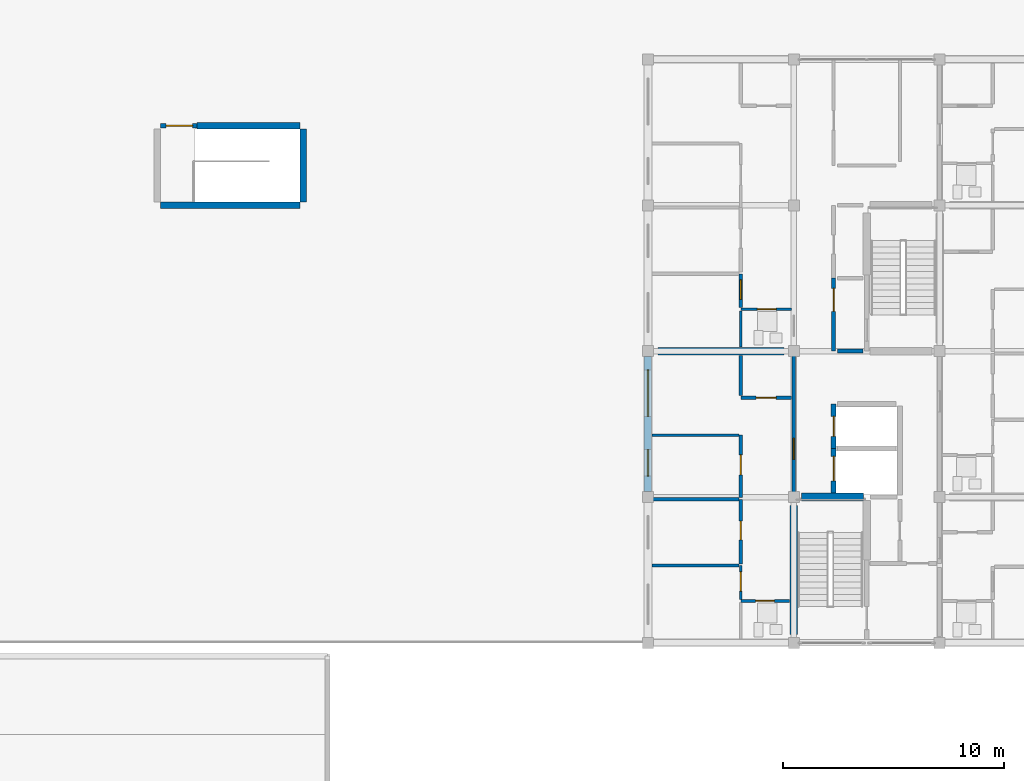
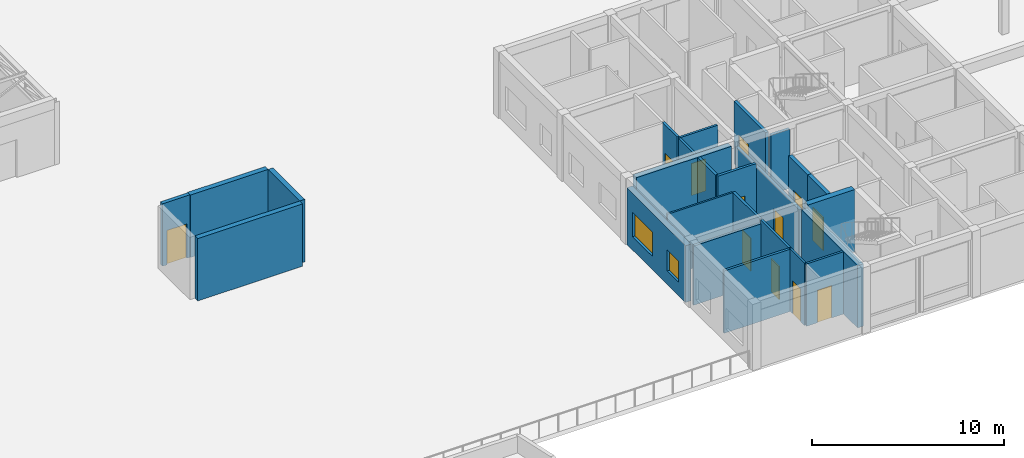
# One storey, part 68 of 92: 25 walls, 12 doors, 2 windows, 14 openings.
"""IFC4 building model written with IfcOpenShell, lengths in metres."""

from ifc_helpers import new_model, si_unit, direction, frame, frame_2d, origin, place, context, subcontext, project, spatial, rectangle, extrude, material, layer, layer_set, type_object, element, fill, save


model = new_model("IFC4")

# Units and contexts
model_context = context("Model", 3, precision=1e-05, world=origin(), true_north=direction((0.0, 1.0)))
body_context = subcontext(model_context, "Body", "Model", "MODEL_VIEW")
ifc_project = project(units=[si_unit("LENGTHUNIT", "METRE"), si_unit("AREAUNIT", "SQUARE_METRE"), si_unit("VOLUMEUNIT", "CUBIC_METRE"), si_unit("PLANEANGLEUNIT", "RADIAN"), si_unit("MASSUNIT", "GRAM", prefix="KILO")], contexts=[model_context])

# Site, building, storey
site_placement = place(None, origin())
site = spatial("IfcSite", under=ifc_project, at=site_placement, CompositionType="ELEMENT")
building_placement = place(site_placement, origin())
building = spatial("IfcBuilding", under=site, at=building_placement, Name="Kernevlak Ridge Housing Community", CompositionType="ELEMENT")
storey_placement = place(building_placement, frame((0.0, 0.0, 4.199951171875)))
storey = spatial("IfcBuildingStorey", under=building, at=storey_placement, Name="L01", CompositionType="ELEMENT", Elevation=4.199951171875)

# Wall, openings, windows
ifc_material_1 = material(Name="Concrete block masonry M10", Category="masonry")
ifc_layer_1 = layer(ifc_material_1, 0.340087890625, Name="Concrete block masonry M10")
ifc_layer_set_1 = layer_set([ifc_layer_1], Name="Concrete block masonry M10")
wall_type_1 = type_object("IfcWallType", Name="EW-04", PredefinedType="STANDARD", material=ifc_layer_set_1)
wall_1_placement = place(storey_placement, frame((126.0, 22.449951171875, 0.0), z_axis=(0.0, 0.0, 1.0), x_axis=(0.0, 1.0, 0.0)))
wall_1 = element("IfcWall", 1, at=wall_1_placement, inside=storey, type_object=wall_type_1, Name="Exterior wall EW-04 L01 547", PredefinedType="STANDARD", context=body_context, shape_type="SweptSolid", body=[
    extrude(rectangle(XDim=6.10009765625, YDim=0.340087890625, at=frame_2d((3.050048828125, 0.0))), origin(), (0.0, 0.0, 1.0), 3.60009765625),
])
opening_1_placement = place(wall_1_placement, frame((0.699951171875, 0.0, 0.85009765625)))
opening_1 = element("IfcOpeningElement", 2, at=opening_1_placement, cuts=wall_1, Name="Opening WT-01", PredefinedType="OPENING", context=body_context, shape_type="SweptSolid", body=[
    extrude(rectangle(XDim=1.199951171875, YDim=1.35009765625, at=frame_2d((0.60009765625, 0.675048828125))), frame((0.0, 0.179931640625, 0.0), z_axis=(0.0, -1.0, 0.0), x_axis=(1.0, 0.0, 0.0)), (0.0, 0.0, 1.0), 0.360107421875),
])
opening_2_placement = place(wall_1_placement, frame((3.39990234375, 0.0, 0.85009765625)))
opening_2 = element("IfcOpeningElement", 3, at=opening_2_placement, cuts=wall_1, Name="Opening WT-05", PredefinedType="OPENING", context=body_context, shape_type="SweptSolid", body=[
    extrude(rectangle(XDim=2.10009765625, YDim=1.550048828125, at=frame_2d((1.050048828125, 0.77490234375))), frame((0.0, 0.179931640625, 0.0), z_axis=(0.0, -1.0, 0.0), x_axis=(1.0, 0.0, 0.0)), (0.0, 0.0, 1.0), 0.360107421875),
])
ifc_material_2 = material(Name="Aluminium EN AW-6060 anodised and laminated glass", Category="aluminium")
window_type_1 = type_object("IfcWindowType", Name="WT-01", PartitioningType="SINGLE_PANEL", PredefinedType="WINDOW", material=ifc_material_2)
window_1_placement = place(opening_1_placement, origin())
window_1 = element("IfcWindow", 4, at=window_1_placement, inside=storey, type_object=window_type_1, Name="Window WT-01 L01 429", OverallHeight=1.35009765625, OverallWidth=1.199951171875, PartitioningType="SINGLE_PANEL", PredefinedType="WINDOW", context=body_context, shape_type="SweptSolid", body=[
    extrude(rectangle(XDim=1.199951171875, YDim=1.35009765625, at=frame_2d((0.60009765625, 0.675048828125))), frame((0.0, 0.030029296875, 0.0), z_axis=(0.0, -1.0, 0.0), x_axis=(1.0, 0.0, 0.0)), (0.0, 0.0, 1.0), 0.06005859375),
])
fill(opening_1, window_1)
window_type_2 = type_object("IfcWindowType", Name="WT-05", PartitioningType="SINGLE_PANEL", PredefinedType="WINDOW", material=ifc_material_2)
window_2_placement = place(opening_2_placement, origin())
window_2 = element("IfcWindow", 5, at=window_2_placement, inside=storey, type_object=window_type_2, Name="Window WT-05 L01 430", OverallHeight=1.550048828125, OverallWidth=2.10009765625, PartitioningType="SINGLE_PANEL", PredefinedType="WINDOW", context=body_context, shape_type="SweptSolid", body=[
    extrude(rectangle(XDim=2.10009765625, YDim=1.550048828125, at=frame_2d((1.050048828125, 0.77490234375))), frame((0.0, 0.030029296875, 0.0), z_axis=(0.0, -1.0, 0.0), x_axis=(1.0, 0.0, 0.0)), (0.0, 0.0, 1.0), 0.06005859375),
])
fill(opening_2, window_2)

# Wall, opening, door
ifc_material_3 = material(Name="Concrete C35/45", Category="concrete")
ifc_layer_2 = layer(ifc_material_3, 0.22509765625, Name="Concrete C35/45")
ifc_layer_set_2 = layer_set([ifc_layer_2], Name="Concrete C35/45")
wall_type_2 = type_object("IfcWallType", Name="PW-01", PredefinedType="STANDARD", material=ifc_layer_set_2)
wall_2_placement = place(storey_placement, frame((134.39990234375, 22.385009765625, 0.0), z_axis=(0.0, 0.0, 1.0), x_axis=(0.0, 1.0, 0.0)))
wall_2 = element("IfcWall", 6, at=wall_2_placement, inside=storey, type_object=wall_type_2, Name="Interior wall PW-01 WAL-INT-L01-2166", PredefinedType="STANDARD", context=body_context, shape_type="SweptSolid", body=[
    extrude(rectangle(XDim=2.014892578125, YDim=0.22509765625, at=frame_2d((1.00732421875, 0.0))), origin(), (0.0, 0.0, 1.0), 3.9599609375),
])
opening_3_placement = place(wall_2_placement, frame((0.550048828125, 0.0, 0.0)))
opening_3 = element("IfcOpeningElement", 7, at=opening_3_placement, cuts=wall_2, Name="Opening LD57", PredefinedType="OPENING", context=body_context, shape_type="SweptSolid", body=[
    extrude(rectangle(XDim=1.10009765625, YDim=2.10009765625, at=frame_2d((0.550048828125, 1.050048828125))), frame((0.0, 0.12255859375, 0.0), z_axis=(0.0, -1.0, 0.0), x_axis=(1.0, 0.0, 0.0)), (0.0, 0.0, 1.0), 0.2451171875),
])
ifc_material_4 = material(Name="Stainless steel EN 1.4401", Category="steel")
door_type_1 = type_object("IfcDoorType", Name="DT-LD1", OperationType="DOUBLE_DOOR_SLIDING", PredefinedType="DOOR", material=ifc_material_4)
door_1_placement = place(opening_3_placement, origin())
door_1 = element("IfcDoor", 8, at=door_1_placement, inside=storey, type_object=door_type_1, Name="Lift LF-C1 landing door LD57", OperationType="DOUBLE_DOOR_SLIDING", OverallHeight=2.10009765625, OverallWidth=1.10009765625, PredefinedType="DOOR", context=body_context, shape_type="SweptSolid", body=[
    extrude(rectangle(XDim=1.10009765625, YDim=2.10009765625, at=frame_2d((0.550048828125, 1.050048828125))), frame((0.0, 0.02490234375, 0.0), z_axis=(0.0, -1.0, 0.0), x_axis=(1.0, 0.0, 0.0)), (0.0, 0.0, 1.0), 0.050048828125),
])
fill(opening_3, door_1)

wall_3_placement = place(storey_placement, frame((134.39990234375, 24.39990234375, 0.0), z_axis=(0.0, 0.0, 1.0), x_axis=(0.0, 1.0, 0.0)))
wall_3 = element("IfcWall", 9, at=wall_3_placement, inside=storey, type_object=wall_type_2, Name="Interior wall PW-01 WAL-INT-L01-2167", PredefinedType="STANDARD", context=body_context, shape_type="SweptSolid", body=[
    extrude(rectangle(XDim=2.0, YDim=0.22509765625, at=frame_2d((1.0, 0.0))), origin(), (0.0, 0.0, 1.0), 3.9599609375),
])
opening_4_placement = place(wall_3_placement, frame((0.550048828125, 0.0, 0.0)))
opening_4 = element("IfcOpeningElement", 10, at=opening_4_placement, cuts=wall_3, Name="Opening LD58", PredefinedType="OPENING", context=body_context, shape_type="SweptSolid", body=[
    extrude(rectangle(XDim=0.89990234375, YDim=2.10009765625, at=frame_2d((0.449951171875, 1.050048828125))), frame((0.0, 0.12255859375, 0.0), z_axis=(0.0, -1.0, 0.0), x_axis=(1.0, 0.0, 0.0)), (0.0, 0.0, 1.0), 0.2451171875),
])
door_type_2 = type_object("IfcDoorType", Name="DT-LD2", OperationType="DOUBLE_DOOR_SLIDING", PredefinedType="DOOR", material=ifc_material_4)
door_2_placement = place(opening_4_placement, origin())
door_2 = element("IfcDoor", 11, at=door_2_placement, inside=storey, type_object=door_type_2, Name="Lift LF-C2 landing door LD58", OperationType="DOUBLE_DOOR_SLIDING", OverallHeight=2.10009765625, OverallWidth=0.89990234375, PredefinedType="DOOR", context=body_context, shape_type="SweptSolid", body=[
    extrude(rectangle(XDim=0.89990234375, YDim=2.10009765625, at=frame_2d((0.449951171875, 1.050048828125))), frame((0.0, 0.02490234375, 0.0), z_axis=(0.0, -1.0, 0.0), x_axis=(1.0, 0.0, 0.0)), (0.0, 0.0, 1.0), 0.050048828125),
])
fill(opening_4, door_2)

wall_4_placement = place(storey_placement, frame((103.949951171875, 39.0, 0.0), z_axis=(0.0, 0.0, 1.0), x_axis=(1.0, 0.0, 0.0)))
wall_4 = element("IfcWall", 12, at=wall_4_placement, inside=storey, type_object=wall_type_2, Name="Interior wall PW-01 WAL-INT-L01-3514", PredefinedType="STANDARD", context=body_context, shape_type="SweptSolid", body=[
    extrude(rectangle(XDim=1.650146484375, YDim=0.22509765625, at=frame_2d((0.8251953125, 0.0))), origin(), (0.0, 0.0, 1.0), 3.9599609375),
])
opening_5_placement = place(wall_4_placement, frame((0.25, 0.0, 0.0)))
opening_5 = element("IfcOpeningElement", 13, at=opening_5_placement, cuts=wall_4, Name="Opening E783", PredefinedType="OPENING", context=body_context, shape_type="SweptSolid", body=[
    extrude(rectangle(XDim=1.199951171875, YDim=2.179931640625, at=frame_2d((0.60009765625, 1.08984375))), frame((0.0, 0.12255859375, 0.0), z_axis=(0.0, -1.0, 0.0), x_axis=(1.0, 0.0, 0.0)), (0.0, 0.0, 1.0), 0.2451171875),
])
ifc_material_5 = material(Name="Fire-rated sheet steel leaf", Category="steel")
door_type_3 = type_object("IfcDoorType", Name="DT-17", OperationType="NOTDEFINED", PredefinedType="DOOR", material=ifc_material_5)
door_3_placement = place(opening_5_placement, origin())
door_3 = element("IfcDoor", 14, at=door_3_placement, inside=storey, type_object=door_type_3, Name="Podium stair ST-P2 fire door E783", OperationType="SINGLE_SWING_RIGHT", OverallHeight=2.179931640625, OverallWidth=1.199951171875, PredefinedType="DOOR", context=body_context, shape_type="SweptSolid", body=[
    extrude(rectangle(XDim=1.199951171875, YDim=2.179931640625, at=frame_2d((0.60009765625, 1.08984375))), frame((0.0, 0.02490234375, 0.0), z_axis=(0.0, -1.0, 0.0), x_axis=(1.0, 0.0, 0.0)), (0.0, 0.0, 1.0), 0.050048828125),
])
fill(opening_5, door_3)

ifc_layer_3 = layer(ifc_material_1, 0.175048828125, Name="Concrete block masonry M10")
ifc_layer_set_3 = layer_set([ifc_layer_3], Name="Concrete block masonry M10")
wall_type_3 = type_object("IfcWallType", Name="PW-02", PredefinedType="PARTITIONING", material=ifc_layer_set_3)
wall_5_placement = place(storey_placement, frame((134.39990234375, 28.800048828125, 0.0), z_axis=(0.0, 0.0, 1.0), x_axis=(0.0, 1.0, 0.0)))
wall_5 = element("IfcWall", 15, at=wall_5_placement, inside=storey, type_object=wall_type_3, Name="Interior wall PW-02 WAL-INT-L01-2173", PredefinedType="PARTITIONING", context=body_context, shape_type="SweptSolid", body=[
    extrude(rectangle(XDim=3.300048828125, YDim=0.175048828125, at=frame_2d((1.64990234375, 0.0))), origin(), (0.0, 0.0, 1.0), 3.9599609375),
])
opening_6_placement = place(wall_5_placement, frame((1.800048828125, 0.0, 0.0)))
opening_6 = element("IfcOpeningElement", 16, at=opening_6_placement, cuts=wall_5, Name="Opening E101", PredefinedType="OPENING", context=body_context, shape_type="SweptSolid", body=[
    extrude(rectangle(XDim=1.0400390625, YDim=2.1201171875, at=frame_2d((0.52001953125, 1.06005859375))), frame((0.0, 0.097412109375, 0.0), z_axis=(0.0, -1.0, 0.0), x_axis=(1.0, 0.0, 0.0)), (0.0, 0.0, 1.0), 0.195068359375),
])
door_type_4 = type_object("IfcDoorType", Name="DT-16", OperationType="NOTDEFINED", PredefinedType="DOOR", material=ifc_material_5)
door_4_placement = place(opening_6_placement, origin())
door_4 = element("IfcDoor", 17, at=door_4_placement, inside=storey, type_object=door_type_4, Name="Block C Firefighting lobby 2 door E101", OperationType="SINGLE_SWING_RIGHT", OverallHeight=2.1201171875, OverallWidth=1.0400390625, PredefinedType="DOOR", context=body_context, shape_type="SweptSolid", body=[
    extrude(rectangle(XDim=1.0400390625, YDim=2.1201171875, at=frame_2d((0.52001953125, 1.06005859375))), frame((0.0, 0.02490234375, 0.0), z_axis=(0.0, -1.0, 0.0), x_axis=(1.0, 0.0, 0.0)), (0.0, 0.0, 1.0), 0.050048828125),
])
fill(opening_6, door_4)

# Wall
wall_6_placement = place(storey_placement, frame((134.580078125, 28.800048828125, 0.0), z_axis=(0.0, 0.0, 1.0), x_axis=(1.0, 0.0, 0.0)))
element("IfcWall", 18, at=wall_6_placement, inside=storey, type_object=wall_type_3, Name="Interior wall PW-02 WAL-INT-L01-2175", PredefinedType="PARTITIONING", context=body_context, shape_type="SweptSolid", body=[
    extrude(rectangle(XDim=1.139892578125, YDim=0.175048828125, at=frame_2d((0.56982421875, 0.0))), origin(), (0.0, 0.0, 1.0), 3.75),
])

# Wall, opening, door
wall_7_placement = place(storey_placement, frame((132.60009765625, 22.199951171875, 0.0), z_axis=(0.0, 0.0, 1.0), x_axis=(0.0, 1.0, 0.0)))
wall_7 = element("IfcWall", 19, at=wall_7_placement, inside=storey, type_object=wall_type_3, Name="Interior wall PW-02 WAL-INT-L01-2181", PredefinedType="PARTITIONING", context=body_context, shape_type="SweptSolid", body=[
    extrude(rectangle(XDim=6.60009765625, YDim=0.175048828125, at=frame_2d((3.300048828125, 0.0))), origin(), (0.0, 0.0, 1.0), 3.699951171875),
])
opening_7_placement = place(wall_7_placement, frame((1.699951171875, 0.0, 0.0)))
opening_7 = element("IfcOpeningElement", 20, at=opening_7_placement, cuts=wall_7, Name="Opening E104", PredefinedType="OPENING", context=body_context, shape_type="SweptSolid", body=[
    extrude(rectangle(XDim=0.949951171875, YDim=2.159912109375, at=frame_2d((0.47509765625, 1.080078125))), frame((0.0, 0.097412109375, 0.0), z_axis=(0.0, -1.0, 0.0), x_axis=(1.0, 0.0, 0.0)), (0.0, 0.0, 1.0), 0.195068359375),
])
ifc_material_6 = material(Name="Hardwood timber solid-core fire leaf", Category="wood")
door_type_5 = type_object("IfcDoorType", Name="DT-02", OperationType="NOTDEFINED", PredefinedType="DOOR", material=ifc_material_6)
door_5_placement = place(opening_7_placement, origin())
door_5 = element("IfcDoor", 21, at=door_5_placement, inside=storey, type_object=door_type_5, Name="Flat C0111 entrance fire door E104", OperationType="SINGLE_SWING_LEFT", OverallHeight=2.159912109375, OverallWidth=0.949951171875, PredefinedType="DOOR", context=body_context, shape_type="SweptSolid", body=[
    extrude(rectangle(XDim=0.949951171875, YDim=2.159912109375, at=frame_2d((0.47509765625, 1.080078125))), frame((0.0, 0.02490234375, 0.0), z_axis=(0.0, -1.0, 0.0), x_axis=(1.0, 0.0, 0.0)), (0.0, 0.0, 1.0), 0.050048828125),
])
fill(opening_7, door_5)

# Wall
ifc_layer_4 = layer(ifc_material_1, 0.14501953125, Name="Concrete block masonry M10")
ifc_layer_set_4 = layer_set([ifc_layer_4], Name="Concrete block masonry M10")
wall_type_4 = type_object("IfcWallType", Name="PW-03", PredefinedType="PARTITIONING", material=ifc_layer_set_4)
wall_8_placement = place(storey_placement, frame((130.1201171875, 19.10009765625, 0.0), z_axis=(0.0, 0.0, 1.0), x_axis=(-1.0, 0.0, 0.0)))
element("IfcWall", 22, at=wall_8_placement, inside=storey, type_object=wall_type_4, Name="Interior wall PW-03 WAL-INT-L01-2187", PredefinedType="PARTITIONING", context=body_context, shape_type="SweptSolid", body=[
    extrude(rectangle(XDim=3.940185546875, YDim=0.14501953125, at=frame_2d((1.97021484375, 0.0))), origin(), (0.0, 0.0, 1.0), 3.9599609375),
])

# Wall, opening, door
wall_9_placement = place(storey_placement, frame((130.199951171875, 19.1826171875, 0.0), z_axis=(0.0, 0.0, 1.0), x_axis=(0.0, 1.0, 0.0)))
wall_9 = element("IfcWall", 23, at=wall_9_placement, inside=storey, type_object=wall_type_4, Name="Interior wall PW-03 WAL-INT-L01-2188", PredefinedType="PARTITIONING", context=body_context, shape_type="SweptSolid", body=[
    extrude(rectangle(XDim=2.91748046875, YDim=0.14501953125, at=frame_2d((1.458740234375, 0.0))), origin(), (0.0, 0.0, 1.0), 3.9599609375),
])
opening_8_placement = place(wall_9_placement, frame((1.074951171875, 0.0, 0.0)))
opening_8 = element("IfcOpeningElement", 24, at=opening_8_placement, cuts=wall_9, Name="Opening E108", PredefinedType="OPENING", context=body_context, shape_type="SweptSolid", body=[
    extrude(rectangle(XDim=0.85009765625, YDim=2.10009765625, at=frame_2d((0.425048828125, 1.050048828125))), frame((0.0, 0.08251953125, 0.0), z_axis=(0.0, -1.0, 0.0), x_axis=(1.0, 0.0, 0.0)), (0.0, 0.0, 1.0), 0.1650390625),
])
ifc_material_7 = material(Name="Hardwood timber leaf", Category="wood")
door_type_6 = type_object("IfcDoorType", Name="DT-03", OperationType="NOTDEFINED", PredefinedType="DOOR", material=ifc_material_7)
door_6_placement = place(opening_8_placement, origin())
door_6 = element("IfcDoor", 25, at=door_6_placement, inside=storey, type_object=door_type_6, Name="Flat C0111 bedroom door E108", OperationType="SINGLE_SWING_LEFT", OverallHeight=2.10009765625, OverallWidth=0.85009765625, PredefinedType="DOOR", context=body_context, shape_type="SweptSolid", body=[
    extrude(rectangle(XDim=0.85009765625, YDim=2.10009765625, at=frame_2d((0.425048828125, 1.050048828125))), frame((0.0, 0.02490234375, 0.0), z_axis=(0.0, -1.0, 0.0), x_axis=(1.0, 0.0, 0.0)), (0.0, 0.0, 1.0), 0.050048828125),
])
fill(opening_8, door_6)

# Wall
wall_10_placement = place(storey_placement, frame((130.117431640625, 22.10009765625, 0.0), z_axis=(0.0, 0.0, 1.0), x_axis=(-1.0, 0.0, 0.0)))
element("IfcWall", 26, at=wall_10_placement, inside=storey, type_object=wall_type_4, Name="Interior wall PW-03 WAL-INT-L01-2189", PredefinedType="PARTITIONING", context=body_context, shape_type="SweptSolid", body=[
    extrude(rectangle(XDim=4.037353515625, YDim=0.14501953125, at=frame_2d((2.0185546875, 0.0))), origin(), (0.0, 0.0, 1.0), 3.75),
])

# Wall, opening, door
wall_11_placement = place(storey_placement, frame((130.199951171875, 22.1826171875, 0.0), z_axis=(0.0, 0.0, 1.0), x_axis=(0.0, 1.0, 0.0)))
wall_11 = element("IfcWall", 27, at=wall_11_placement, inside=storey, type_object=wall_type_4, Name="Interior wall PW-03 WAL-INT-L01-2190", PredefinedType="PARTITIONING", context=body_context, shape_type="SweptSolid", body=[
    extrude(rectangle(XDim=2.8173828125, YDim=0.14501953125, at=frame_2d((1.40869140625, 0.0))), origin(), (0.0, 0.0, 1.0), 3.9599609375),
])
opening_9_placement = place(wall_11_placement, frame((1.02490234375, 0.0, 0.0)))
opening_9 = element("IfcOpeningElement", 28, at=opening_9_placement, cuts=wall_11, Name="Opening E109", PredefinedType="OPENING", context=body_context, shape_type="SweptSolid", body=[
    extrude(rectangle(XDim=0.89990234375, YDim=2.10009765625, at=frame_2d((0.449951171875, 1.050048828125))), frame((0.0, 0.08251953125, 0.0), z_axis=(0.0, -1.0, 0.0), x_axis=(1.0, 0.0, 0.0)), (0.0, 0.0, 1.0), 0.1650390625),
])
door_type_7 = type_object("IfcDoorType", Name="DT-21", OperationType="NOTDEFINED", PredefinedType="DOOR", material=ifc_material_7)
door_7_placement = place(opening_9_placement, origin())
door_7 = element("IfcDoor", 29, at=door_7_placement, inside=storey, type_object=door_type_7, Name="Flat C0111 bedroom door E109", OperationType="SINGLE_SWING_RIGHT", OverallHeight=2.10009765625, OverallWidth=0.89990234375, PredefinedType="DOOR", context=body_context, shape_type="SweptSolid", body=[
    extrude(rectangle(XDim=0.89990234375, YDim=2.10009765625, at=frame_2d((0.449951171875, 1.050048828125))), frame((0.0, 0.02490234375, 0.0), z_axis=(0.0, -1.0, 0.0), x_axis=(1.0, 0.0, 0.0)), (0.0, 0.0, 1.0), 0.050048828125),
])
fill(opening_9, door_7)

wall_12_placement = place(storey_placement, frame((130.199951171875, 30.7724609375, 0.0), z_axis=(0.0, 0.0, 1.0), x_axis=(0.0, 1.0, 0.0)))
wall_12 = element("IfcWall", 30, at=wall_12_placement, inside=storey, type_object=wall_type_4, Name="Interior wall PW-03 WAL-INT-L01-2197", PredefinedType="PARTITIONING", context=body_context, shape_type="SweptSolid", body=[
    extrude(rectangle(XDim=1.527587890625, YDim=0.14501953125, at=frame_2d((0.763671875, 0.0))), origin(), (0.0, 0.0, 1.0), 3.9599609375),
])
opening_10_placement = place(wall_12_placement, frame((0.375, 0.0, 0.0)))
opening_10 = element("IfcOpeningElement", 31, at=opening_10_placement, cuts=wall_12, Name="Opening E113", PredefinedType="OPENING", context=body_context, shape_type="SweptSolid", body=[
    extrude(rectangle(XDim=0.8798828125, YDim=2.159912109375, at=frame_2d((0.43994140625, 1.080078125))), frame((0.0, 0.08251953125, 0.0), z_axis=(0.0, -1.0, 0.0), x_axis=(1.0, 0.0, 0.0)), (0.0, 0.0, 1.0), 0.1650390625),
])
door_type_8 = type_object("IfcDoorType", Name="DT-26", OperationType="NOTDEFINED", PredefinedType="DOOR", material=ifc_material_7)
door_8_placement = place(opening_10_placement, origin())
door_8 = element("IfcDoor", 32, at=door_8_placement, inside=storey, type_object=door_type_8, Name="Flat C0112 bedroom door E113", OperationType="SINGLE_SWING_RIGHT", OverallHeight=2.159912109375, OverallWidth=0.8798828125, PredefinedType="DOOR", context=body_context, shape_type="SweptSolid", body=[
    extrude(rectangle(XDim=0.8798828125, YDim=2.159912109375, at=frame_2d((0.43994140625, 1.080078125))), frame((0.0, 0.02490234375, 0.0), z_axis=(0.0, -1.0, 0.0), x_axis=(1.0, 0.0, 0.0)), (0.0, 0.0, 1.0), 0.050048828125),
])
fill(opening_10, door_8)

ifc_material_8 = material(Name="Gypsum plasterboard EN 520", Category="gypsum")
ifc_layer_5 = layer(ifc_material_8, 0.125, Name="Gypsum plasterboard EN 520")
ifc_layer_set_5 = layer_set([ifc_layer_5], Name="Gypsum plasterboard EN 520")
wall_type_5 = type_object("IfcWallType", Name="PW-04", PredefinedType="PARTITIONING", material=ifc_layer_set_5)
wall_13_placement = place(storey_placement, frame((132.4150390625, 17.5, 0.0), z_axis=(0.0, 0.0, 1.0), x_axis=(-1.0, 0.0, 0.0)))
wall_13 = element("IfcWall", 33, at=wall_13_placement, inside=storey, type_object=wall_type_5, Name="Interior wall PW-04 WAL-INT-L01-2182", PredefinedType="PARTITIONING", context=body_context, shape_type="SweptSolid", body=[
    extrude(rectangle(XDim=2.215087890625, YDim=0.125, at=frame_2d((1.107421875, 0.0))), origin(), (0.0, 0.0, 1.0), 3.9599609375),
])
opening_11_placement = place(wall_13_placement, frame((0.699951171875, 0.0, 0.0)))
opening_11 = element("IfcOpeningElement", 34, at=opening_11_placement, cuts=wall_13, Name="Opening E105", PredefinedType="OPENING", context=body_context, shape_type="SweptSolid", body=[
    extrude(rectangle(XDim=0.840087890625, YDim=2.06005859375, at=frame_2d((0.419921875, 1.030029296875))), frame((0.0, 0.072509765625, 0.0), z_axis=(0.0, -1.0, 0.0), x_axis=(1.0, 0.0, 0.0)), (0.0, 0.0, 1.0), 0.14501953125),
])
ifc_material_9 = material(Name="Hardwood timber moisture-resistant leaf", Category="wood")
door_type_9 = type_object("IfcDoorType", Name="DT-27", OperationType="NOTDEFINED", PredefinedType="DOOR", material=ifc_material_9)
door_9_placement = place(opening_11_placement, origin())
door_9 = element("IfcDoor", 35, at=door_9_placement, inside=storey, type_object=door_type_9, Name="Flat C0111 bathroom door E105", OperationType="SINGLE_SWING_RIGHT", OverallHeight=2.06005859375, OverallWidth=0.840087890625, PredefinedType="DOOR", context=body_context, shape_type="SweptSolid", body=[
    extrude(rectangle(XDim=0.840087890625, YDim=2.06005859375, at=frame_2d((0.419921875, 1.030029296875))), frame((0.0, 0.02490234375, 0.0), z_axis=(0.0, -1.0, 0.0), x_axis=(1.0, 0.0, 0.0)), (0.0, 0.0, 1.0), 0.050048828125),
])
fill(opening_11, door_9)

wall_14_placement = place(storey_placement, frame((132.50244140625, 30.699951171875, 0.0), z_axis=(0.0, 0.0, 1.0), x_axis=(-1.0, 0.0, 0.0)))
wall_14 = element("IfcWall", 36, at=wall_14_placement, inside=storey, type_object=wall_type_5, Name="Interior wall PW-04 WAL-INT-L01-2193", PredefinedType="PARTITIONING", context=body_context, shape_type="SweptSolid", body=[
    extrude(rectangle(XDim=2.302490234375, YDim=0.125, at=frame_2d((1.1513671875, 0.0))), origin(), (0.0, 0.0, 1.0), 3.9599609375),
])
opening_12_placement = place(wall_14_placement, frame((0.699951171875, 0.0, 0.0)))
opening_12 = element("IfcOpeningElement", 37, at=opening_12_placement, cuts=wall_14, Name="Opening E111", PredefinedType="OPENING", context=body_context, shape_type="SweptSolid", body=[
    extrude(rectangle(XDim=0.85009765625, YDim=2.0400390625, at=frame_2d((0.425048828125, 1.02001953125))), frame((0.0, 0.072509765625, 0.0), z_axis=(0.0, -1.0, 0.0), x_axis=(1.0, 0.0, 0.0)), (0.0, 0.0, 1.0), 0.14501953125),
])
door_type_10 = type_object("IfcDoorType", Name="DT-04", OperationType="NOTDEFINED", PredefinedType="DOOR", material=ifc_material_9)
door_10_placement = place(opening_12_placement, origin())
door_10 = element("IfcDoor", 38, at=door_10_placement, inside=storey, type_object=door_type_10, Name="Flat C0112 bathroom door E111", OperationType="SINGLE_SWING_RIGHT", OverallHeight=2.0400390625, OverallWidth=0.85009765625, PredefinedType="DOOR", context=body_context, shape_type="SweptSolid", body=[
    extrude(rectangle(XDim=0.85009765625, YDim=2.0400390625, at=frame_2d((0.425048828125, 1.02001953125))), frame((0.0, 0.02490234375, 0.0), z_axis=(0.0, -1.0, 0.0), x_axis=(1.0, 0.0, 0.0)), (0.0, 0.0, 1.0), 0.050048828125),
])
fill(opening_12, door_10)

# Wall
wall_15_placement = place(storey_placement, frame((130.199951171875, 28.985107421875, 0.0), z_axis=(0.0, 0.0, 1.0), x_axis=(0.0, 1.0, 0.0)))
element("IfcWall", 39, at=wall_15_placement, inside=storey, type_object=wall_type_5, Name="Interior wall PW-04 WAL-INT-L01-2194", PredefinedType="PARTITIONING", context=body_context, shape_type="SweptSolid", body=[
    extrude(rectangle(XDim=1.635009765625, YDim=0.125, at=frame_2d((0.8173828125, 0.0))), origin(), (0.0, 0.0, 1.0), 3.9599609375),
])

# Wall, opening, door
ifc_layer_6 = layer(ifc_material_8, 0.155029296875, Name="Gypsum plasterboard EN 520")
ifc_layer_set_6 = layer_set([ifc_layer_6], Name="Gypsum plasterboard EN 520")
wall_type_6 = type_object("IfcWallType", Name="PW-05", PredefinedType="PARTITIONING", material=ifc_layer_set_6)
wall_16_placement = place(storey_placement, frame((132.50244140625, 26.699951171875, 0.0), z_axis=(0.0, 0.0, 1.0), x_axis=(-1.0, 0.0, 0.0)))
wall_16 = element("IfcWall", 40, at=wall_16_placement, inside=storey, type_object=wall_type_6, Name="Interior wall PW-05 WAL-INT-L01-2184", PredefinedType="PARTITIONING", context=body_context, shape_type="SweptSolid", body=[
    extrude(rectangle(XDim=2.302490234375, YDim=0.155029296875, at=frame_2d((1.1513671875, 0.0))), origin(), (0.0, 0.0, 1.0), 3.9599609375),
])
opening_13_placement = place(wall_16_placement, frame((0.699951171875, 0.0, 0.0)))
opening_13 = element("IfcOpeningElement", 41, at=opening_13_placement, cuts=wall_16, Name="Opening E106", PredefinedType="OPENING", context=body_context, shape_type="SweptSolid", body=[
    extrude(rectangle(XDim=0.909912109375, YDim=2.139892578125, at=frame_2d((0.455078125, 1.06982421875))), frame((0.0, 0.08740234375, 0.0), z_axis=(0.0, -1.0, 0.0), x_axis=(1.0, 0.0, 0.0)), (0.0, 0.0, 1.0), 0.175048828125),
])
door_type_11 = type_object("IfcDoorType", Name="DT-31", OperationType="NOTDEFINED", PredefinedType="DOOR", material=ifc_material_7)
door_11_placement = place(opening_13_placement, origin())
door_11 = element("IfcDoor", 42, at=door_11_placement, inside=storey, type_object=door_type_11, Name="Flat C0111 kitchen door E106", OperationType="SINGLE_SWING_LEFT", OverallHeight=2.139892578125, OverallWidth=0.909912109375, PredefinedType="DOOR", context=body_context, shape_type="SweptSolid", body=[
    extrude(rectangle(XDim=0.909912109375, YDim=2.139892578125, at=frame_2d((0.455078125, 1.06982421875))), frame((0.0, 0.02490234375, 0.0), z_axis=(0.0, -1.0, 0.0), x_axis=(1.0, 0.0, 0.0)), (0.0, 0.0, 1.0), 0.050048828125),
])
fill(opening_13, door_11)

# Wall
wall_17_placement = place(storey_placement, frame((130.199951171875, 26.78759765625, 0.0), z_axis=(0.0, 0.0, 1.0), x_axis=(0.0, 1.0, 0.0)))
element("IfcWall", 43, at=wall_17_placement, inside=storey, type_object=wall_type_6, Name="Interior wall PW-05 WAL-INT-L01-2185", PredefinedType="PARTITIONING", context=body_context, shape_type="SweptSolid", body=[
    extrude(rectangle(XDim=1.827392578125, YDim=0.155029296875, at=frame_2d((0.91357421875, 0.0))), origin(), (0.0, 0.0, 1.0), 3.9599609375),
])

# Wall, opening, door
ifc_layer_7 = layer(ifc_material_8, 0.10498046875, Name="Gypsum plasterboard EN 520")
ifc_layer_set_7 = layer_set([ifc_layer_7], Name="Gypsum plasterboard EN 520")
wall_type_7 = type_object("IfcWallType", Name="PW-06", PredefinedType="PARTITIONING", material=ifc_layer_set_7)
wall_18_placement = place(storey_placement, frame((130.199951171875, 17.572509765625, 0.0), z_axis=(0.0, 0.0, 1.0), x_axis=(0.0, 1.0, 0.0)))
wall_18 = element("IfcWall", 44, at=wall_18_placement, inside=storey, type_object=wall_type_7, Name="Interior wall PW-06 WAL-INT-L01-2186", PredefinedType="PARTITIONING", context=body_context, shape_type="SweptSolid", body=[
    extrude(rectangle(XDim=1.527587890625, YDim=0.10498046875, at=frame_2d((0.763671875, 0.0))), origin(), (0.0, 0.0, 1.0), 3.9599609375),
])
opening_14_placement = place(wall_18_placement, frame((0.375, 0.0, 0.0)))
opening_14 = element("IfcOpeningElement", 45, at=opening_14_placement, cuts=wall_18, Name="Opening E107", PredefinedType="OPENING", context=body_context, shape_type="SweptSolid", body=[
    extrude(rectangle(XDim=0.8701171875, YDim=2.080078125, at=frame_2d((0.43505859375, 1.0400390625))), frame((0.0, 0.0625, 0.0), z_axis=(0.0, -1.0, 0.0), x_axis=(1.0, 0.0, 0.0)), (0.0, 0.0, 1.0), 0.125),
])
door_type_12 = type_object("IfcDoorType", Name="DT-32", OperationType="NOTDEFINED", PredefinedType="DOOR", material=ifc_material_7)
door_12_placement = place(opening_14_placement, origin())
door_12 = element("IfcDoor", 46, at=door_12_placement, inside=storey, type_object=door_type_12, Name="Flat C0111 bedroom door E107", OperationType="SINGLE_SWING_RIGHT", OverallHeight=2.080078125, OverallWidth=0.8701171875, PredefinedType="DOOR", context=body_context, shape_type="SweptSolid", body=[
    extrude(rectangle(XDim=0.8701171875, YDim=2.080078125, at=frame_2d((0.43505859375, 1.0400390625))), frame((0.0, 0.02490234375, 0.0), z_axis=(0.0, -1.0, 0.0), x_axis=(1.0, 0.0, 0.0)), (0.0, 0.0, 1.0), 0.050048828125),
])
fill(opening_14, door_12)

# Walls
wall_19_placement = place(storey_placement, frame((130.117431640625, 25.0, 0.0), z_axis=(0.0, 0.0, 1.0), x_axis=(-1.0, 0.0, 0.0)))
element("IfcWall", 47, at=wall_19_placement, inside=storey, type_object=wall_type_7, Name="Interior wall PW-06 WAL-INT-L01-2191", PredefinedType="PARTITIONING", context=body_context, shape_type="SweptSolid", body=[
    extrude(rectangle(XDim=3.9375, YDim=0.10498046875, at=frame_2d((1.96875, 0.0))), origin(), (0.0, 0.0, 1.0), 3.9599609375),
])
ifc_material_10 = material(Name="Concrete C40/50", Category="concrete")
ifc_layer_8 = layer(ifc_material_10, 0.35009765625, Name="Concrete C40/50")
ifc_layer_set_8 = layer_set([ifc_layer_8], Name="Concrete C40/50")
wall_type_8 = type_object("IfcWallType", Name="SW-01", PredefinedType="SHEAR", material=ifc_layer_set_8)
wall_20_placement = place(storey_placement, frame((132.60009765625, 15.97998046875, 0.0), z_axis=(0.0, 0.0, 1.0), x_axis=(0.0, 1.0, 0.0)))
element("IfcWall", 48, at=wall_20_placement, inside=storey, type_object=wall_type_8, Name="Shear wall SW-01 Block C L01 381", PredefinedType="SHEAR", context=body_context, shape_type="SweptSolid", body=[
    extrude(rectangle(XDim=5.840087890625, YDim=0.35009765625, at=frame_2d((2.919921875, 0.0))), origin(), (0.0, 0.0, 1.0), 3.9599609375),
])
wall_21_placement = place(storey_placement, frame((132.949951171875, 22.199951171875, 0.0), z_axis=(0.0, 0.0, 1.0), x_axis=(1.0, 0.0, 0.0)))
element("IfcWall", 49, at=wall_21_placement, inside=storey, type_object=wall_type_8, Name="Shear wall SW-01 Block C L01 383", PredefinedType="SHEAR", context=body_context, shape_type="SweptSolid", body=[
    extrude(rectangle(XDim=2.800048828125, YDim=0.35009765625, at=frame_2d((1.39990234375, 0.0))), origin(), (0.0, 0.0, 1.0), 3.9599609375),
])
wall_22_placement = place(storey_placement, frame((126.449951171875, 28.800048828125, 0.0), z_axis=(0.0, 0.0, 1.0), x_axis=(1.0, 0.0, 0.0)))
element("IfcWall", 50, at=wall_22_placement, inside=storey, type_object=wall_type_8, Name="Shear wall SW-01 Block C L01 388", PredefinedType="SHEAR", context=body_context, shape_type="SweptSolid", body=[
    extrude(rectangle(XDim=5.699951171875, YDim=0.35009765625, at=frame_2d((2.85009765625, 0.0))), origin(), (0.0, 0.0, 1.0), 3.9599609375),
])
ifc_layer_9 = layer(ifc_material_10, 0.300048828125, Name="Concrete C40/50")
ifc_layer_set_9 = layer_set([ifc_layer_9], Name="Concrete C40/50")
wall_type_9 = type_object("IfcWallType", Name="SW-02", PredefinedType="SHEAR", material=ifc_layer_set_9)
wall_23_placement = place(storey_placement, frame((103.949951171875, 35.39990234375, 0.0), z_axis=(0.0, 0.0, 1.0), x_axis=(1.0, 0.0, 0.0)))
element("IfcWall", 51, at=wall_23_placement, inside=storey, type_object=wall_type_9, Name="Podium stair shear wall ST-P2 L01", PredefinedType="SHEAR", context=body_context, shape_type="SweptSolid", body=[
    extrude(rectangle(XDim=6.300048828125, YDim=0.300048828125, at=frame_2d((3.14990234375, 0.0))), origin(), (0.0, 0.0, 1.0), 3.9599609375),
])
wall_24_placement = place(storey_placement, frame((105.60009765625, 39.0, 0.0), z_axis=(0.0, 0.0, 1.0), x_axis=(1.0, 0.0, 0.0)))
element("IfcWall", 52, at=wall_24_placement, inside=storey, type_object=wall_type_9, Name="Podium stair shear wall ST-P2 L01", PredefinedType="SHEAR", context=body_context, shape_type="SweptSolid", body=[
    extrude(rectangle(XDim=4.64990234375, YDim=0.300048828125, at=frame_2d((2.324951171875, 0.0))), origin(), (0.0, 0.0, 1.0), 3.9599609375),
])
wall_25_placement = place(storey_placement, frame((110.39990234375, 35.550048828125, 0.0), z_axis=(0.0, 0.0, 1.0), x_axis=(0.0, 1.0, 0.0)))
element("IfcWall", 53, at=wall_25_placement, inside=storey, type_object=wall_type_9, Name="Podium stair shear wall ST-P2 L01", PredefinedType="SHEAR", context=body_context, shape_type="SweptSolid", body=[
    extrude(rectangle(XDim=3.300048828125, YDim=0.300048828125, at=frame_2d((1.64990234375, 0.0))), origin(), (0.0, 0.0, 1.0), 3.9599609375),
])

save(model, "model.ifc")
